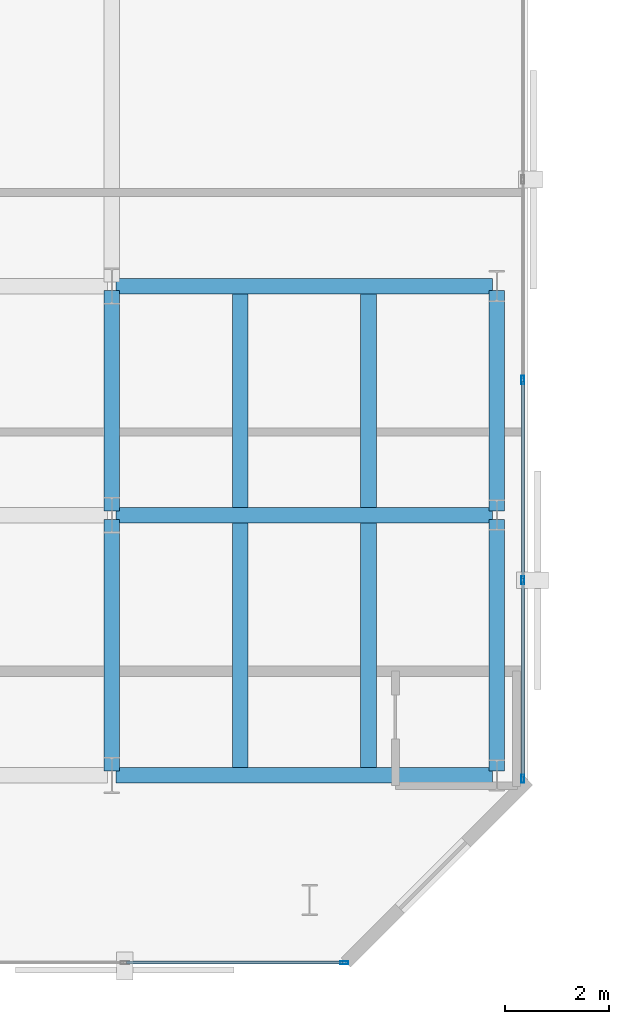
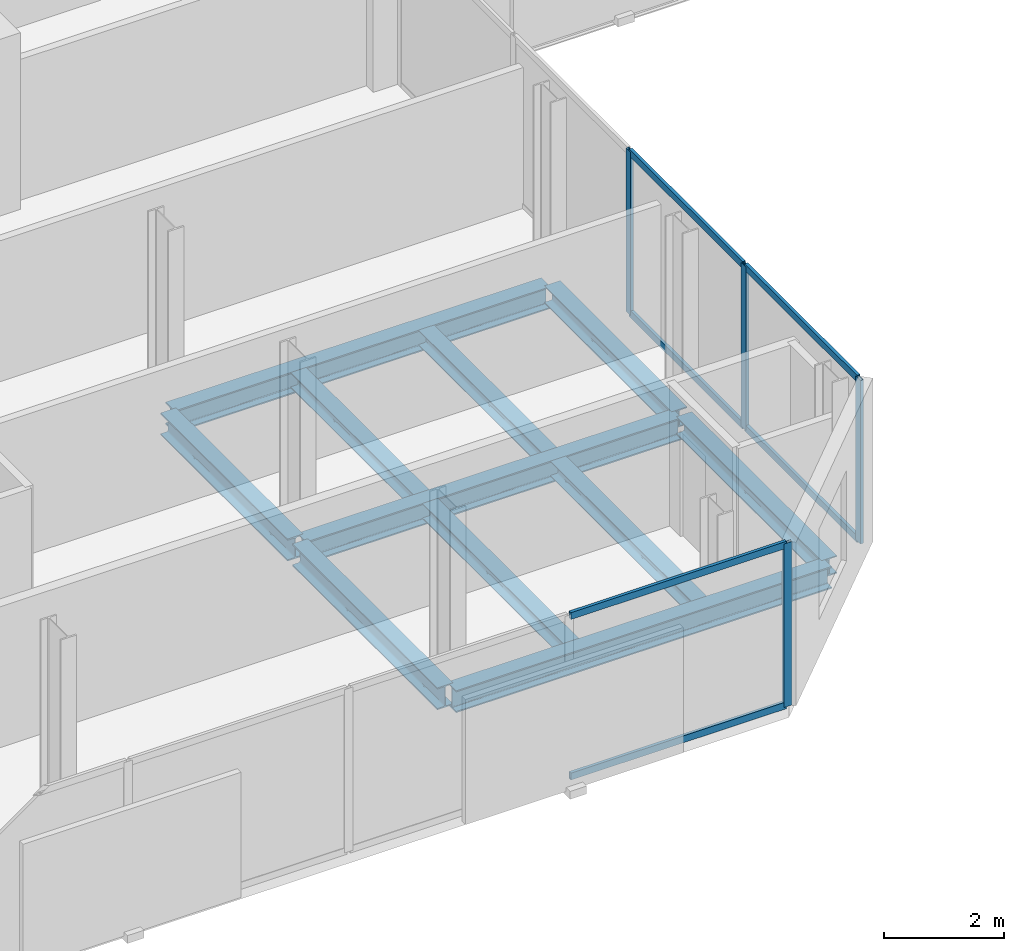
# One storey, part 7 of 32: 11 beams, 10 members, 2 elements without a shape of their own.
"""IFC4 building model written with IfcOpenShell, lengths in metres."""

from ifc_helpers import new_model, si_unit, direction, frame, origin, origin_2d, place, context, subcontext, project, spatial, hollow_rectangle, i_section, extrude, material, layer, layer_set, material_profile, profile_set, type_object, element, aggregate, save


model = new_model("IFC4")

# Units and contexts
model_context = context("Model", 3, precision=1e-05, world=origin(), true_north=direction((0.0, 1.0)))
body_context = subcontext(model_context, "Body", "Model", "MODEL_VIEW")
ifc_project = project(units=[si_unit("LENGTHUNIT", "METRE"), si_unit("AREAUNIT", "SQUARE_METRE"), si_unit("VOLUMEUNIT", "CUBIC_METRE"), si_unit("PLANEANGLEUNIT", "RADIAN"), si_unit("MASSUNIT", "GRAM", prefix="KILO")], contexts=[model_context])

# Site, building, storey
site_placement = place(None, origin())
site = spatial("IfcSite", under=ifc_project, at=site_placement, CompositionType="ELEMENT")
building_placement = place(site_placement, origin())
building = spatial("IfcBuilding", under=site, at=building_placement, Name="Catumbela Crestline Tower", CompositionType="ELEMENT")
storey_placement = place(building_placement, frame((0.0, 0.0, 122.4)))
storey = spatial("IfcBuildingStorey", under=building, at=storey_placement, Name="L31", CompositionType="ELEMENT", Elevation=122.4)

# Beams
ifc_material_1 = material(Name="Structural steel S355J2", Category="steel")
ifc_material_profile_1 = material_profile(ifc_material_1, i_section(OverallWidth=0.3, OverallDepth=0.45, WebThickness=0.014, FlangeThickness=0.026, FilletRadius=0.027, at=origin_2d()), Name="HEB 450")
ifc_profile_set_1 = profile_set([ifc_material_profile_1], Name="Structural steel S355J2")
beam_type_1 = type_object("IfcBeamType", Name="BG-HEB450", PredefinedType="BEAM", material=ifc_profile_set_1)
for number, where, z_axis, x_axis, name in (
    (1, (16.08, 8.6, -0.485), (1.0, 0.0, 0.0), (0.0, 1.0, 0.0), "L31 Beam BM-L31-WEW45"),
    (2, (16.08, 13.6, -0.485), (1.0, 0.0, 0.0), (0.0, 1.0, 0.0), "L31 Beam BM-L31-WEW48"),
    (3, (16.08, 18.0, -0.485), (1.0, 0.0, 0.0), (0.0, 1.0, 0.0), "L31 Beam BM-L31-WEW51"),
):
    element("IfcBeam", number, at=place(storey_placement, frame(where, z_axis=z_axis, x_axis=x_axis)), inside=storey, type_object=beam_type_1, Name=name, PredefinedType="BEAM", context=body_context, shape_type="SweptSolid", body=[
        extrude(i_section(OverallWidth=0.3, OverallDepth=0.45, WebThickness=0.014, FlangeThickness=0.026, FilletRadius=0.027, at=origin_2d()), origin(), (0.0, 0.0, 1.0), 7.24),
    ])
beam_1_placement = place(storey_placement, frame((16.0, 8.68, -0.485), z_axis=(0.0, 1.0, 0.0), x_axis=(-1.0, 0.0, 0.0)))
element("IfcBeam", 4, at=beam_1_placement, inside=storey, type_object=beam_type_1, Name="L31 Beam BM-L31-WNS58", PredefinedType="BEAM", context=body_context, shape_type="SweptSolid", body=[
    extrude(i_section(OverallWidth=0.3, OverallDepth=0.45, WebThickness=0.014, FlangeThickness=0.026, FilletRadius=0.027, at=origin_2d()), origin(), (0.0, 0.0, 1.0), 4.84),
])
beam_2_placement = place(storey_placement, frame((16.0, 13.68, -0.485), z_axis=(0.0, 1.0, 0.0), x_axis=(-1.0, 0.0, 0.0)))
element("IfcBeam", 5, at=beam_2_placement, inside=storey, type_object=beam_type_1, Name="L31 Beam BM-L31-WNS59", PredefinedType="BEAM", context=body_context, shape_type="SweptSolid", body=[
    extrude(i_section(OverallWidth=0.3, OverallDepth=0.45, WebThickness=0.014, FlangeThickness=0.026, FilletRadius=0.027, at=origin_2d()), origin(), (0.0, 0.0, 1.0), 4.24),
])
ifc_material_profile_2 = material_profile(ifc_material_1, i_section(OverallWidth=0.3, OverallDepth=0.31, WebThickness=0.009, FlangeThickness=0.0155, FilletRadius=0.027, at=origin_2d()), Name="HEA 320")
ifc_profile_set_2 = profile_set([ifc_material_profile_2], Name="Structural steel S355J2")
beam_type_2 = type_object("IfcBeamType", Name="BJ-HEA320", PredefinedType="JOIST", material=ifc_profile_set_2)
for number, where, z_axis, x_axis, name in (
    (6, (18.467, 8.747, -0.415), (0.0, 1.0, 0.0), (-1.0, 0.0, 0.0), "L31 Joist JS-L31-WG67"),
    (7, (20.933, 8.747, -0.415), (0.0, 1.0, 0.0), (-1.0, 0.0, 0.0), "L31 Joist JS-L31-WG68"),
):
    element("IfcBeam", number, at=place(storey_placement, frame(where, z_axis=z_axis, x_axis=x_axis)), inside=storey, type_object=beam_type_2, Name=name, PredefinedType="JOIST", context=body_context, shape_type="SweptSolid", body=[
        extrude(i_section(OverallWidth=0.3, OverallDepth=0.31, WebThickness=0.009, FlangeThickness=0.0155, FilletRadius=0.027, at=origin_2d()), origin(), (0.0, 0.0, 1.0), 4.706),
    ])
for number, where, z_axis, x_axis, name in (
    (8, (18.467, 13.747, -0.415), (0.0, 1.0, 0.0), (-1.0, 0.0, 0.0), "L31 Joist JS-L31-WG73"),
    (9, (20.933, 13.747, -0.415), (0.0, 1.0, 0.0), (-1.0, 0.0, 0.0), "L31 Joist JS-L31-WG74"),
):
    element("IfcBeam", number, at=place(storey_placement, frame(where, z_axis=z_axis, x_axis=x_axis)), inside=storey, type_object=beam_type_2, Name=name, PredefinedType="JOIST", context=body_context, shape_type="SweptSolid", body=[
        extrude(i_section(OverallWidth=0.3, OverallDepth=0.31, WebThickness=0.009, FlangeThickness=0.0155, FilletRadius=0.027, at=origin_2d()), origin(), (0.0, 0.0, 1.0), 4.106),
    ])

# Curtain wall, member
ifc_material_2 = material(Name="Aluminium alloy AW-6060-T66", Category="aluminium")
ifc_layer = layer(ifc_material_2, 0.18, Name="Aluminium alloy AW-6060-T66")
ifc_layer_set = layer_set([ifc_layer], Name="Aluminium alloy AW-6060-T66")
curtain_wall_type = type_object("IfcCurtainWallType", Name="CWU-Z2", PredefinedType="USERDEFINED", material=ifc_layer_set)
curtain_wall_1_placement = place(storey_placement, origin())
curtain_wall_1 = element("IfcCurtainWall", 10, at=curtain_wall_1_placement, inside=storey, type_object=curtain_wall_type, Name="L31 Unitised Curtain Wall CW-L31-E0S1", ObjectType="UNITISED", PredefinedType="USERDEFINED")
ifc_material_profile_3 = material_profile(ifc_material_2, hollow_rectangle(XDim=0.06, YDim=0.16, WallThickness=0.004, at=origin_2d()), Name="ALU 160x60x4")
ifc_profile_set_3 = profile_set([ifc_material_profile_3], Name="Aluminium alloy AW-6060-T66")
member_type_1 = type_object("IfcMemberType", Name="MUL-160X60", PredefinedType="MULLION", material=ifc_profile_set_3)
member_1_placement = place(storey_placement, frame((20.4675, 5.0, 0.0), z_axis=(0.0, 0.0, 1.0), x_axis=(0.0, 1.0, 0.0)))
member_1 = element("IfcMember", 11, at=member_1_placement, type_object=member_type_1, Name="CWU-Z2 mullion 5", PredefinedType="MULLION", context=body_context, shape_type="SweptSolid", body=[
    extrude(hollow_rectangle(XDim=0.06, YDim=0.16, WallThickness=0.004, at=origin_2d()), origin(), (0.0, 0.0, 1.0), 3.33),
])

# Curtain wall, members
curtain_wall_2_placement = place(storey_placement, origin())
curtain_wall_2 = element("IfcCurtainWall", 12, at=curtain_wall_2_placement, inside=storey, type_object=curtain_wall_type, Name="L31 Unitised Curtain Wall CW-L31-E2S1", ObjectType="UNITISED", PredefinedType="USERDEFINED")
member_2_placement = place(storey_placement, frame((23.9, 8.5325, 0.0), z_axis=(0.0, 0.0, 1.0), x_axis=(-1.0, 0.0, 0.0)))
member_2 = element("IfcMember", 13, at=member_2_placement, type_object=member_type_1, Name="CWU-Z2 mullion 1", PredefinedType="MULLION", context=body_context, shape_type="SweptSolid", body=[
    extrude(hollow_rectangle(XDim=0.06, YDim=0.16, WallThickness=0.004, at=origin_2d()), origin(), (0.0, 0.0, 1.0), 3.33),
])
member_3_placement = place(storey_placement, frame((23.9, 12.35, 0.0), z_axis=(0.0, 0.0, 1.0), x_axis=(-1.0, 0.0, 0.0)))
member_3 = element("IfcMember", 14, at=member_3_placement, type_object=member_type_1, Name="CWU-Z2 mullion 2", PredefinedType="MULLION", context=body_context, shape_type="SweptSolid", body=[
    extrude(hollow_rectangle(XDim=0.06, YDim=0.16, WallThickness=0.004, at=origin_2d()), origin(), (0.0, 0.0, 1.0), 3.33),
])
member_4_placement = place(storey_placement, frame((23.9, 16.2, 0.0), z_axis=(0.0, 0.0, 1.0), x_axis=(-1.0, 0.0, 0.0)))
member_4 = element("IfcMember", 15, at=member_4_placement, type_object=member_type_1, Name="CWU-Z2 mullion 3", PredefinedType="MULLION", context=body_context, shape_type="SweptSolid", body=[
    extrude(hollow_rectangle(XDim=0.06, YDim=0.16, WallThickness=0.004, at=origin_2d()), origin(), (0.0, 0.0, 1.0), 3.33),
])

# Beams
ifc_material_profile_4 = material_profile(ifc_material_1, i_section(OverallWidth=0.3, OverallDepth=0.36, WebThickness=0.0125, FlangeThickness=0.0225, FilletRadius=0.027, at=origin_2d()), Name="HEB 360")
ifc_profile_set_4 = profile_set([ifc_material_profile_4], Name="Structural steel S355J2")
beam_type_3 = type_object("IfcBeamType", Name="BS-HEB360", PredefinedType="SPANDREL", material=ifc_profile_set_4)
beam_3_placement = place(storey_placement, frame((23.4, 8.68, -0.44), z_axis=(0.0, 1.0, 0.0), x_axis=(-1.0, 0.0, 0.0)))
element("IfcBeam", 16, at=beam_3_placement, inside=storey, type_object=beam_type_3, Name="L31 Spandrel SP-L31-WNS61", PredefinedType="SPANDREL", context=body_context, shape_type="SweptSolid", body=[
    extrude(i_section(OverallWidth=0.3, OverallDepth=0.36, WebThickness=0.0125, FlangeThickness=0.0225, FilletRadius=0.027, at=origin_2d()), origin(), (0.0, 0.0, 1.0), 4.84),
])
beam_4_placement = place(storey_placement, frame((23.4, 13.68, -0.44), z_axis=(0.0, 1.0, 0.0), x_axis=(-1.0, 0.0, 0.0)))
element("IfcBeam", 17, at=beam_4_placement, inside=storey, type_object=beam_type_3, Name="L31 Spandrel SP-L31-WNS62", PredefinedType="SPANDREL", context=body_context, shape_type="SweptSolid", body=[
    extrude(i_section(OverallWidth=0.3, OverallDepth=0.36, WebThickness=0.0125, FlangeThickness=0.0225, FilletRadius=0.027, at=origin_2d()), origin(), (0.0, 0.0, 1.0), 4.24),
])

# Member
ifc_material_profile_5 = material_profile(ifc_material_2, hollow_rectangle(XDim=0.06, YDim=0.14, WallThickness=0.004, at=origin_2d()), Name="ALU 140x60x4")
ifc_profile_set_5 = profile_set([ifc_material_profile_5], Name="Aluminium alloy AW-6060-T66")
member_type_2 = type_object("IfcMemberType", Name="TRN-140X60", PredefinedType="USERDEFINED", material=ifc_profile_set_5)
member_5_placement = place(storey_placement, frame((16.2825, 5.0, 0.03), z_axis=(1.0, 0.0, 0.0), x_axis=(0.0, 1.0, 0.0)))
member_5 = element("IfcMember", 18, at=member_5_placement, type_object=member_type_2, Name="CWU-Z2 transom 4.1", ObjectType="TRANSOM", PredefinedType="USERDEFINED", context=body_context, shape_type="SweptSolid", body=[
    extrude(hollow_rectangle(XDim=0.06, YDim=0.14, WallThickness=0.004, at=origin_2d()), origin(), (0.0, 0.0, 1.0), 4.1525),
])

member_6_placement = place(storey_placement, frame((16.2825, 5.0, 3.3), z_axis=(1.0, 0.0, 0.0), x_axis=(0.0, 1.0, 0.0)))
member_6 = element("IfcMember", 19, at=member_6_placement, type_object=member_type_2, Name="CWU-Z2 transom 4.2", ObjectType="TRANSOM", PredefinedType="USERDEFINED", context=body_context, shape_type="SweptSolid", body=[
    extrude(hollow_rectangle(XDim=0.06, YDim=0.14, WallThickness=0.004, at=origin_2d()), origin(), (0.0, 0.0, 1.0), 4.1525),
])

aggregate(curtain_wall_1, [member_1, member_5, member_6])

member_7_placement = place(storey_placement, frame((23.9, 8.565, 0.03), z_axis=(0.0, 1.0, 0.0), x_axis=(-1.0, 0.0, 0.0)))
member_7 = element("IfcMember", 20, at=member_7_placement, type_object=member_type_2, Name="CWU-Z2 transom 1.1", ObjectType="TRANSOM", PredefinedType="USERDEFINED", context=body_context, shape_type="SweptSolid", body=[
    extrude(hollow_rectangle(XDim=0.06, YDim=0.14, WallThickness=0.004, at=origin_2d()), origin(), (0.0, 0.0, 1.0), 3.7525),
])

member_8_placement = place(storey_placement, frame((23.9, 8.565, 3.3), z_axis=(0.0, 1.0, 0.0), x_axis=(-1.0, 0.0, 0.0)))
member_8 = element("IfcMember", 21, at=member_8_placement, type_object=member_type_2, Name="CWU-Z2 transom 1.2", ObjectType="TRANSOM", PredefinedType="USERDEFINED", context=body_context, shape_type="SweptSolid", body=[
    extrude(hollow_rectangle(XDim=0.06, YDim=0.14, WallThickness=0.004, at=origin_2d()), origin(), (0.0, 0.0, 1.0), 3.7525),
])

member_9_placement = place(storey_placement, frame((23.9, 12.3825, 0.03), z_axis=(0.0, 1.0, 0.0), x_axis=(-1.0, 0.0, 0.0)))
member_9 = element("IfcMember", 22, at=member_9_placement, type_object=member_type_2, Name="CWU-Z2 transom 2.1", ObjectType="TRANSOM", PredefinedType="USERDEFINED", context=body_context, shape_type="SweptSolid", body=[
    extrude(hollow_rectangle(XDim=0.06, YDim=0.14, WallThickness=0.004, at=origin_2d()), origin(), (0.0, 0.0, 1.0), 3.785),
])

member_10_placement = place(storey_placement, frame((23.9, 12.3825, 3.3), z_axis=(0.0, 1.0, 0.0), x_axis=(-1.0, 0.0, 0.0)))
member_10 = element("IfcMember", 23, at=member_10_placement, type_object=member_type_2, Name="CWU-Z2 transom 2.2", ObjectType="TRANSOM", PredefinedType="USERDEFINED", context=body_context, shape_type="SweptSolid", body=[
    extrude(hollow_rectangle(XDim=0.06, YDim=0.14, WallThickness=0.004, at=origin_2d()), origin(), (0.0, 0.0, 1.0), 3.785),
])

aggregate(curtain_wall_2, [member_2, member_3, member_4, member_7, member_8, member_9, member_10])

save(model, "model.ifc")
